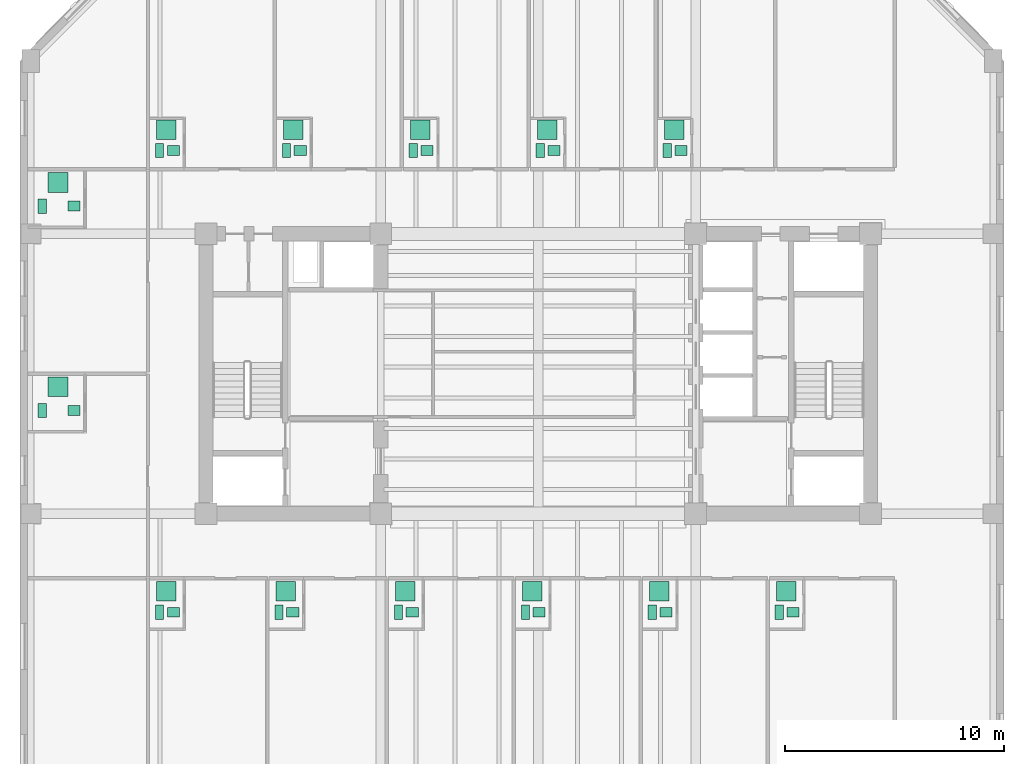
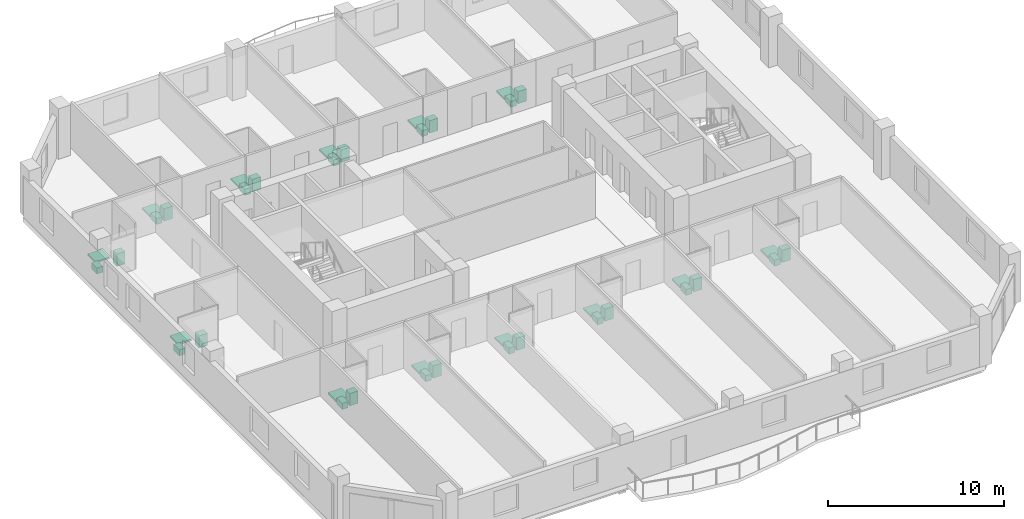
# One storey, part 11 of 11: 39 sanitary terminals.
"""IFC4 building model written with IfcOpenShell, lengths in metres."""

from ifc_helpers import new_model, si_unit, direction, frame, origin, origin_2d, place, context, subcontext, project, spatial, rectangle, extrude, material, type_object, element, save


model = new_model("IFC4")

# Units and contexts
model_context = context("Model", 3, precision=1e-05, world=origin(), true_north=direction((0.0, 1.0)))
body_context = subcontext(model_context, "Body", "Model", "MODEL_VIEW")
ifc_project = project(units=[si_unit("LENGTHUNIT", "METRE"), si_unit("AREAUNIT", "SQUARE_METRE"), si_unit("VOLUMEUNIT", "CUBIC_METRE"), si_unit("PLANEANGLEUNIT", "RADIAN"), si_unit("MASSUNIT", "GRAM", prefix="KILO")], contexts=[model_context])

# Site, building, storey
site_placement = place(None, origin())
site = spatial("IfcSite", under=ifc_project, at=site_placement, CompositionType="ELEMENT")
building_placement = place(site_placement, origin())
building = spatial("IfcBuilding", under=site, at=building_placement, Name="Kranthara Brick Stack", CompositionType="ELEMENT")
storey_placement = place(building_placement, frame((0.0, 0.0, 134.300048828125)))
storey = spatial("IfcBuildingStorey", under=building, at=storey_placement, Name="L33", CompositionType="ELEMENT", Elevation=134.300048828125)

# Sanitary terminals
ifc_material_1 = material(Name="Vitreous china sanitary porcelain", Category="other")
sanitary_terminal_type_1 = type_object("IfcSanitaryTerminalType", Name="SAN-BASIN", PredefinedType="WASHHANDBASIN", material=ifc_material_1)
for number, where, z_axis, x_axis, name in (
    (1, (11.31005859375, 16.294921875, 0.0), (0.0, 0.0, 1.0), (1.0, 0.0, 0.0), "L33 Washbasin 122"),
    (2, (16.77392578125, 16.294921875, 0.0), (0.0, 0.0, 1.0), (1.0, 0.0, 0.0), "L33 Washbasin 123"),
    (3, (22.238037109375, 16.294921875, 0.0), (0.0, 0.0, 1.0), (1.0, 0.0, 0.0), "L33 Washbasin 124"),
    (4, (28.04296875, 16.294921875, 0.0), (0.0, 0.0, 1.0), (1.0, 0.0, 0.0), "L33 Washbasin 125"),
    (5, (33.84912109375, 16.294921875, 0.0), (0.0, 0.0, 1.0), (1.0, 0.0, 0.0), "L33 Washbasin 126"),
    (6, (39.654052734375, 16.294921875, 0.0), (0.0, 0.0, 1.0), (1.0, 0.0, 0.0), "L33 Washbasin 127"),
    (7, (11.31005859375, 37.405029296875, 0.0), (0.0, 0.0, 1.0), (1.0, 0.0, 0.0), "L33 Washbasin 128"),
    (8, (17.115966796875, 37.405029296875, 0.0), (0.0, 0.0, 1.0), (1.0, 0.0, 0.0), "L33 Washbasin 129"),
    (9, (22.9208984375, 37.405029296875, 0.0), (0.0, 0.0, 1.0), (1.0, 0.0, 0.0), "L33 Washbasin 130"),
    (10, (28.72607421875, 37.405029296875, 0.0), (0.0, 0.0, 1.0), (1.0, 0.0, 0.0), "L33 Washbasin 131"),
    (11, (34.531982421875, 37.405029296875, 0.0), (0.0, 0.0, 1.0), (1.0, 0.0, 0.0), "L33 Washbasin 132"),
    (12, (6.760009765625, 25.514892578125, 0.0), (0.0, 0.0, 1.0), (1.0, 0.0, 0.0), "L33 Washbasin 133"),
    (13, (6.760009765625, 34.864990234375, 0.0), (0.0, 0.0, 1.0), (1.0, 0.0, 0.0), "L33 Washbasin 134"),
):
    element("IfcSanitaryTerminal", number, at=place(storey_placement, frame(where, z_axis=z_axis, x_axis=x_axis)), inside=storey, type_object=sanitary_terminal_type_1, Name=name, PredefinedType="WASHHANDBASIN", context=body_context, shape_type="SweptSolid", body=[
        extrude(rectangle(XDim=0.550048828125, YDim=0.449951171875, at=origin_2d()), origin(), (0.0, 0.0, 1.0), 0.85009765625),
    ])
ifc_material_2 = material(Name="Acrylic and porcelain shower tray", Category="other")
sanitary_terminal_type_2 = type_object("IfcSanitaryTerminalType", Name="SAN-SHOWER", PredefinedType="SHOWER", material=ifc_material_2)
for number, where, z_axis, x_axis, name in (
    (14, (10.9951171875, 17.25, 0.0), (0.0, 0.0, 1.0), (1.0, 0.0, 0.0), "L33 Shower Tray 122"),
    (15, (16.458984375, 17.25, 0.0), (0.0, 0.0, 1.0), (1.0, 0.0, 0.0), "L33 Shower Tray 123"),
    (16, (21.923095703125, 17.25, 0.0), (0.0, 0.0, 1.0), (1.0, 0.0, 0.0), "L33 Shower Tray 124"),
    (17, (27.72802734375, 17.25, 0.0), (0.0, 0.0, 1.0), (1.0, 0.0, 0.0), "L33 Shower Tray 125"),
    (18, (33.533935546875, 17.25, 0.0), (0.0, 0.0, 1.0), (1.0, 0.0, 0.0), "L33 Shower Tray 126"),
    (19, (39.339111328125, 17.25, 0.0), (0.0, 0.0, 1.0), (1.0, 0.0, 0.0), "L33 Shower Tray 127"),
    (20, (10.9951171875, 38.360107421875, 0.0), (0.0, 0.0, 1.0), (1.0, 0.0, 0.0), "L33 Shower Tray 128"),
    (21, (16.801025390625, 38.360107421875, 0.0), (0.0, 0.0, 1.0), (1.0, 0.0, 0.0), "L33 Shower Tray 129"),
    (22, (22.60595703125, 38.360107421875, 0.0), (0.0, 0.0, 1.0), (1.0, 0.0, 0.0), "L33 Shower Tray 130"),
    (23, (28.410888671875, 38.360107421875, 0.0), (0.0, 0.0, 1.0), (1.0, 0.0, 0.0), "L33 Shower Tray 131"),
    (24, (34.217041015625, 38.360107421875, 0.0), (0.0, 0.0, 1.0), (1.0, 0.0, 0.0), "L33 Shower Tray 132"),
    (25, (6.0400390625, 26.60009765625, 0.0), (0.0, 0.0, 1.0), (1.0, 0.0, 0.0), "L33 Shower Tray 133"),
    (26, (6.0400390625, 35.949951171875, 0.0), (0.0, 0.0, 1.0), (1.0, 0.0, 0.0), "L33 Shower Tray 134"),
):
    element("IfcSanitaryTerminal", number, at=place(storey_placement, frame(where, z_axis=z_axis, x_axis=x_axis)), inside=storey, type_object=sanitary_terminal_type_2, Name=name, PredefinedType="SHOWER", context=body_context, shape_type="SweptSolid", body=[
        extrude(rectangle(XDim=0.89990234375, YDim=0.89990234375, at=origin_2d()), origin(), (0.0, 0.0, 1.0), 0.1201171875),
    ])
ifc_material_3 = material(Name="Vitreous china sanitary porcelain", Category="other")
sanitary_terminal_type_3 = type_object("IfcSanitaryTerminalType", Name="SAN-WC-PAN", PredefinedType="TOILETPAN", material=ifc_material_3)
for number, where, z_axis, x_axis, name in (
    (27, (10.679931640625, 16.294921875, 0.0), (0.0, 0.0, 1.0), (1.0, 0.0, 0.0), "L33 WC Pan 122"),
    (28, (16.14404296875, 16.294921875, 0.0), (0.0, 0.0, 1.0), (1.0, 0.0, 0.0), "L33 WC Pan 123"),
    (29, (21.60791015625, 16.294921875, 0.0), (0.0, 0.0, 1.0), (1.0, 0.0, 0.0), "L33 WC Pan 124"),
    (30, (27.4130859375, 16.294921875, 0.0), (0.0, 0.0, 1.0), (1.0, 0.0, 0.0), "L33 WC Pan 125"),
    (31, (33.218994140625, 16.294921875, 0.0), (0.0, 0.0, 1.0), (1.0, 0.0, 0.0), "L33 WC Pan 126"),
    (32, (39.02392578125, 16.294921875, 0.0), (0.0, 0.0, 1.0), (1.0, 0.0, 0.0), "L33 WC Pan 127"),
    (33, (10.679931640625, 37.405029296875, 0.0), (0.0, 0.0, 1.0), (1.0, 0.0, 0.0), "L33 WC Pan 128"),
    (34, (16.486083984375, 37.405029296875, 0.0), (0.0, 0.0, 1.0), (1.0, 0.0, 0.0), "L33 WC Pan 129"),
    (35, (22.291015625, 37.405029296875, 0.0), (0.0, 0.0, 1.0), (1.0, 0.0, 0.0), "L33 WC Pan 130"),
    (36, (28.095947265625, 37.405029296875, 0.0), (0.0, 0.0, 1.0), (1.0, 0.0, 0.0), "L33 WC Pan 131"),
    (37, (33.902099609375, 37.405029296875, 0.0), (0.0, 0.0, 1.0), (1.0, 0.0, 0.0), "L33 WC Pan 132"),
    (38, (5.320068359375, 25.514892578125, 0.0), (0.0, 0.0, 1.0), (1.0, 0.0, 0.0), "L33 WC Pan 133"),
    (39, (5.320068359375, 34.864990234375, 0.0), (0.0, 0.0, 1.0), (1.0, 0.0, 0.0), "L33 WC Pan 134"),
):
    element("IfcSanitaryTerminal", number, at=place(storey_placement, frame(where, z_axis=z_axis, x_axis=x_axis)), inside=storey, type_object=sanitary_terminal_type_3, Name=name, PredefinedType="TOILETPAN", context=body_context, shape_type="SweptSolid", body=[
        extrude(rectangle(XDim=0.3798828125, YDim=0.64990234375, at=origin_2d()), origin(), (0.0, 0.0, 1.0), 0.419921875),
    ])

save(model, "model.ifc")
